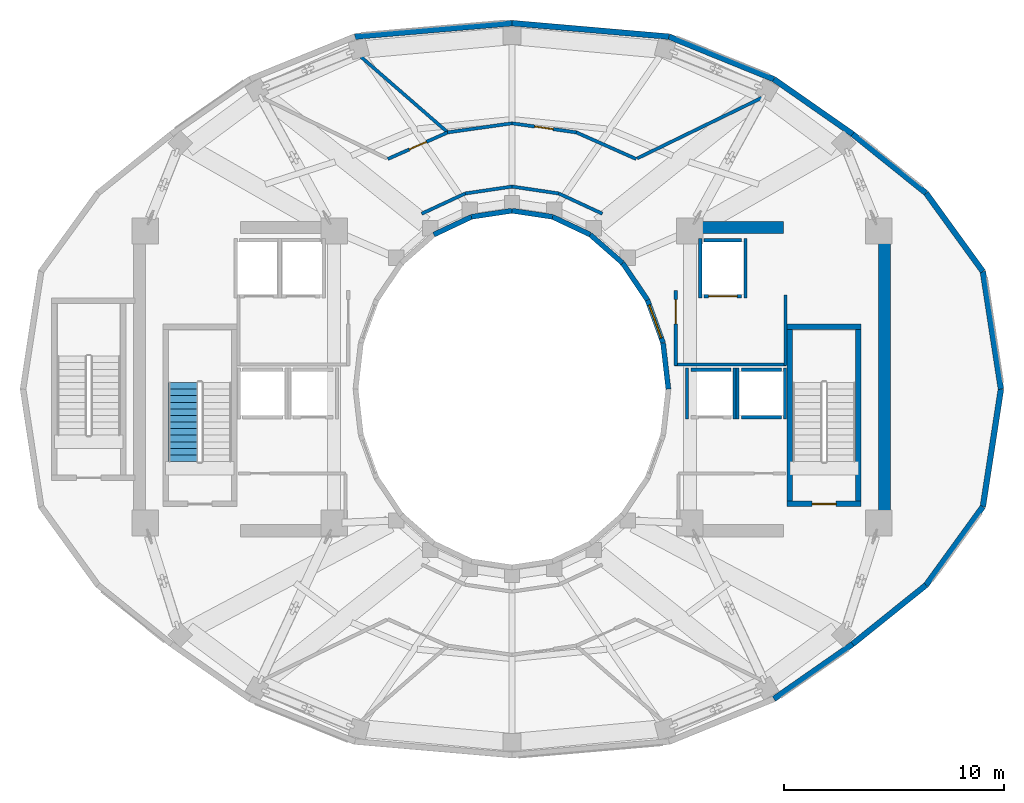
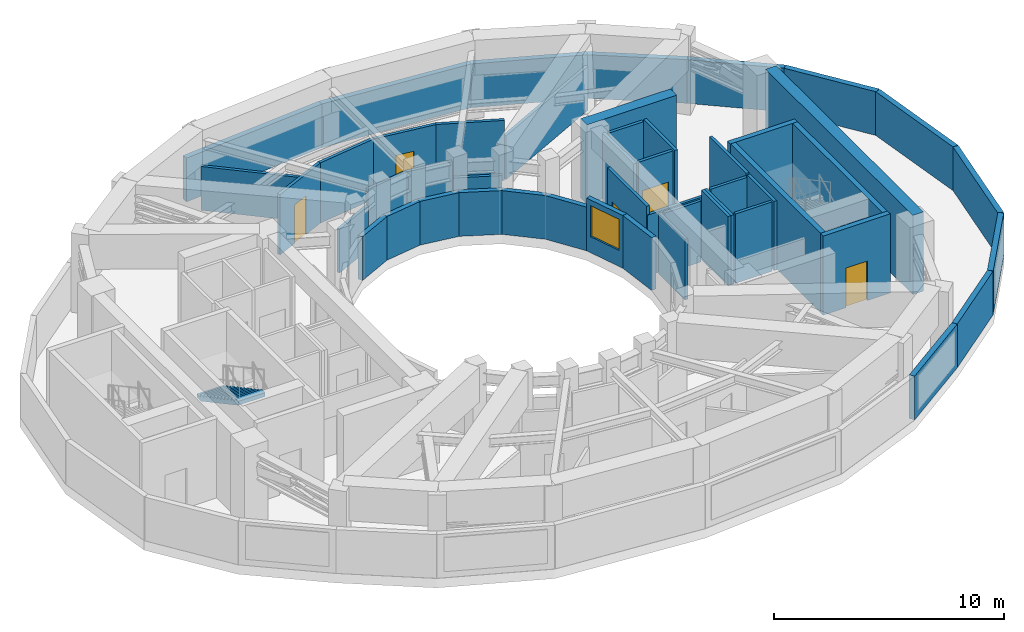
# One storey, part 5 of 10: 49 walls, 5 doors, 1 stair flight, 1 window, 6 openings, 1 element without a shape of its own.
"""IFC4 building model written with IfcOpenShell, lengths in metres."""

from ifc_helpers import new_model, si_unit, direction, frame, frame_2d, origin, place, context, subcontext, project, spatial, polyline, rectangle, outline, extrude, material, layer, layer_set, type_object, element, fill, aggregate, save


model = new_model("IFC4")

# Units and contexts
model_context = context("Model", 3, precision=1e-05, world=origin(), true_north=direction((0.0, 1.0)))
body_context = subcontext(model_context, "Body", "Model", "MODEL_VIEW")
ifc_project = project(units=[si_unit("LENGTHUNIT", "METRE"), si_unit("AREAUNIT", "SQUARE_METRE"), si_unit("VOLUMEUNIT", "CUBIC_METRE"), si_unit("PLANEANGLEUNIT", "RADIAN"), si_unit("MASSUNIT", "GRAM", prefix="KILO")], contexts=[model_context])

# Site, building, storey
site_placement = place(None, origin())
site = spatial("IfcSite", under=ifc_project, at=site_placement, CompositionType="ELEMENT")
building_placement = place(site_placement, origin())
building = spatial("IfcBuilding", under=site, at=building_placement, Name="Solvane Sanctuary Tower", CompositionType="ELEMENT")
storey_placement = place(building_placement, frame((0.0, 0.0, 193.199951171875)))
storey = spatial("IfcBuildingStorey", under=building, at=storey_placement, Name="L59", CompositionType="ELEMENT", Elevation=193.199951171875)

# Walls
ifc_material_1 = material(Name="Concrete C50/60", Category="concrete")
ifc_layer_1 = layer(ifc_material_1, 0.550048828125, Name="Concrete C50/60")
ifc_layer_set_1 = layer_set([ifc_layer_1], Name="Concrete C50/60")
wall_type_1 = type_object("IfcWallType", Name="Wall W-CORE-550", PredefinedType="SHEAR", material=ifc_layer_set_1)
wall_1_placement = place(storey_placement, frame((48.949951171875, 17.050048828125, 0.0), z_axis=(0.0, 0.0, 1.0), x_axis=(0.0, 1.0, 0.0)))
element("IfcWall", 1, at=wall_1_placement, inside=storey, type_object=wall_type_1, Name="L59 Core Shear Wall EC-E", PredefinedType="SHEAR", context=body_context, shape_type="SweptSolid", body=[
    extrude(rectangle(XDim=12.800048828125, YDim=0.550048828125, at=frame_2d((6.39990234375, 0.0))), origin(), (0.0, 0.0, 1.0), 4.199951171875),
])
wall_2_placement = place(storey_placement, frame((39.85009765625, 30.35009765625, 0.0), z_axis=(0.0, 0.0, 1.0), x_axis=(1.0, 0.0, 0.0)))
element("IfcWall", 2, at=wall_2_placement, inside=storey, type_object=wall_type_1, Name="L59 Core Shear Wall EC-N", PredefinedType="SHEAR", context=body_context, shape_type="SweptSolid", body=[
    extrude(rectangle(XDim=4.5, YDim=0.550048828125, at=frame_2d((2.25, 0.0))), origin(), (0.0, 0.0, 1.0), 4.199951171875),
])
ifc_material_2 = material(Name="Acoustic Gypsum Partition Board")
ifc_layer_2 = layer(ifc_material_2, 0.14990234375, Name="Acoustic Gypsum Partition Board")
ifc_layer_set_2 = layer_set([ifc_layer_2], Name="Acoustic Gypsum Partition Board")
wall_type_2 = type_object("IfcWallType", Name="Wall W-CORR-150", PredefinedType="PARTITIONING", material=ifc_layer_set_2)
wall_3_placement = place(storey_placement, frame((39.39990234375, 24.1201171875, 0.0), z_axis=(0.0, 0.0, 1.0), x_axis=(1.0, 0.0, 0.0)))
element("IfcWall", 3, at=wall_3_placement, inside=storey, type_object=wall_type_2, Name="L59 East Firefighting Lobby South Wall", PredefinedType="PARTITIONING", context=body_context, shape_type="SweptSolid", body=[
    extrude(rectangle(XDim=5.080078125, YDim=0.14990234375, at=frame_2d((2.5400390625, 0.0))), origin(), (0.0, 0.0, 1.0), 3.219970703125),
])
wall_4_placement = place(storey_placement, frame((44.449951171875, 24.080078125, 0.0), z_axis=(0.0, 0.0, 1.0), x_axis=(0.0, 1.0, 0.0)))
element("IfcWall", 4, at=wall_4_placement, inside=storey, type_object=wall_type_2, Name="L59 East Firefighting Lobby East Wall", PredefinedType="PARTITIONING", context=body_context, shape_type="SweptSolid", body=[
    extrude(rectangle(XDim=3.199951171875, YDim=0.14990234375, at=frame_2d((1.60009765625, 0.0))), origin(), (0.0, 0.0, 1.0), 3.675048828125),
])

# Wall, opening, door
wall_5_placement = place(storey_placement, frame((39.449951171875, 24.080078125, 0.0), z_axis=(0.0, 0.0, 1.0), x_axis=(0.0, 1.0, 0.0)))
wall_5 = element("IfcWall", 5, at=wall_5_placement, inside=storey, type_object=wall_type_2, Name="L59 East Firefighting Lobby West Wall", PredefinedType="PARTITIONING", context=body_context, shape_type="SweptSolid", body=[
    extrude(rectangle(XDim=3.39990234375, YDim=0.14990234375, at=frame_2d((1.699951171875, 0.0))), origin(), (0.0, 0.0, 1.0), 3.675048828125),
])
opening_1_placement = place(wall_5_placement, frame((1.893798828125, 0.0, 0.0)))
opening_1 = element("IfcOpeningElement", 6, at=opening_1_placement, cuts=wall_5, Name="Opening D-L59-05", PredefinedType="OPENING", context=body_context, shape_type="SweptSolid", body=[
    extrude(rectangle(XDim=1.10009765625, YDim=2.10009765625, at=frame_2d((0.550048828125, 1.050048828125))), frame((0.0, 0.0849609375, 0.0), z_axis=(0.0, -1.0, 0.0), x_axis=(1.0, 0.0, 0.0)), (0.0, 0.0, 1.0), 0.169921875),
])
ifc_material_3 = material(Name="Architectural Stainless Steel 316", Category="steel")
door_type_1 = type_object("IfcDoorType", Name="Door D-FFL", OperationType="NOTDEFINED", PredefinedType="DOOR", material=ifc_material_3)
door_1_placement = place(opening_1_placement, origin())
door_1 = element("IfcDoor", 7, at=door_1_placement, inside=storey, type_object=door_type_1, Name="L59 East Firefighting Lobby Fire Door", OperationType="SINGLE_SWING_LEFT", OverallHeight=2.10009765625, OverallWidth=1.10009765625, PredefinedType="DOOR", context=body_context, shape_type="SweptSolid", body=[
    extrude(rectangle(XDim=1.10009765625, YDim=2.10009765625, at=frame_2d((0.550048828125, 1.050048828125))), frame((0.0, 0.02490234375, 0.0), z_axis=(0.0, -1.0, 0.0), x_axis=(1.0, 0.0, 0.0)), (0.0, 0.0, 1.0), 0.050048828125),
])
fill(opening_1, door_1)

# Walls
wall_6_placement = place(storey_placement, frame((36.110107421875, 30.98486328125, 0.0), z_axis=(0.0, 0.0, 1.0), x_axis=(-0.906943449489, 0.421252393975, 0.0)))
element("IfcWall", 8, at=wall_6_placement, inside=storey, type_object=wall_type_2, Name="L59 Light-Well Corridor Rim Wall N1", PredefinedType="PARTITIONING", context=body_context, shape_type="SweptSolid", body=[
    extrude(rectangle(XDim=2.18603515625, YDim=0.14990234375, at=frame_2d((1.093017578125, 0.0))), origin(), (0.0, 0.0, 1.0), 2.320068359375),
])
for number, where, z_axis, x_axis, name in (
    (9, (34.12744140625, 31.90576171875, 0.0), (0.0, 0.0, 1.0), (-0.989268584896, 0.146108408166, 0.0), "L59 Light-Well Corridor Rim Wall N2"),
    (10, (32.0, 32.219970703125, 0.0), (0.0, 0.0, 1.0), (-0.989268584896, -0.146108408166, 0.0), "L59 Light-Well Corridor Rim Wall N3"),
):
    element("IfcWall", number, at=place(storey_placement, frame(where, z_axis=z_axis, x_axis=x_axis)), inside=storey, type_object=wall_type_2, Name=name, PredefinedType="PARTITIONING", context=body_context, shape_type="SweptSolid", body=[
        extrude(rectangle(XDim=2.150634765625, YDim=0.14990234375, at=frame_2d((1.0751953125, 0.0))), origin(), (0.0, 0.0, 1.0), 3.196044921875),
    ])
wall_7_placement = place(storey_placement, frame((29.87255859375, 31.90576171875, 0.0), z_axis=(0.0, 0.0, 1.0), x_axis=(-0.906943449489, -0.421252393975, 0.0)))
element("IfcWall", 11, at=wall_7_placement, inside=storey, type_object=wall_type_2, Name="L59 Light-Well Corridor Rim Wall N4", PredefinedType="PARTITIONING", context=body_context, shape_type="SweptSolid", body=[
    extrude(rectangle(XDim=2.18603515625, YDim=0.14990234375, at=frame_2d((1.093017578125, 0.0))), origin(), (0.0, 0.0, 1.0), 2.320068359375),
])
wall_8_placement = place(storey_placement, frame((37.699462890625, 33.5029296875, 0.0), z_axis=(0.0, 0.0, 1.0), x_axis=(0.899365131214, 0.437198308273, 0.0)))
element("IfcWall", 12, at=wall_8_placement, inside=storey, type_object=wall_type_2, Name="L59 Mechanical Plant Radial Wall 060", PredefinedType="PARTITIONING", context=body_context, shape_type="SweptSolid", body=[
    extrude(rectangle(XDim=6.365478515625, YDim=0.14990234375, at=frame_2d((3.1826171875, 0.0))), origin(), (0.0, 0.0, 1.0), 2.320068359375),
])
wall_9_placement = place(storey_placement, frame((29.03369140625, 34.723876953125, 0.0), z_axis=(0.0, 0.0, 1.0), x_axis=(-0.754512026555, 0.656286219407, 0.0)))
element("IfcWall", 13, at=wall_9_placement, inside=storey, type_object=wall_type_2, Name="L59 Mechanical Plant Radial Wall 105", PredefinedType="PARTITIONING", context=body_context, shape_type="SweptSolid", body=[
    extrude(rectangle(XDim=5.17236328125, YDim=0.14990234375, at=frame_2d((2.586181640625, 0.0))), origin(), (0.0, 0.0, 1.0), 2.320068359375),
])
wall_10_placement = place(storey_placement, frame((37.65673828125, 33.474609375, 0.0), z_axis=(0.0, 0.0, 1.0), x_axis=(-0.913989848226, 0.405737054432, 0.0)))
element("IfcWall", 14, at=wall_10_placement, inside=storey, type_object=wall_type_2, Name="L59 Plant Corridor Wall 1", PredefinedType="PARTITIONING", context=body_context, shape_type="SweptSolid", body=[
    extrude(rectangle(XDim=2.9912109375, YDim=0.14990234375, at=frame_2d((1.49560546875, 0.0))), origin(), (0.0, 0.0, 1.0), 3.196044921875),
])

# Wall, opening, door
wall_11_placement = place(storey_placement, frame((34.926513671875, 34.687255859375, 0.0), z_axis=(0.0, 0.0, 1.0), x_axis=(-0.990208673156, 0.139595070138, 0.0)))
wall_11 = element("IfcWall", 15, at=wall_11_placement, inside=storey, type_object=wall_type_2, Name="L59 Plant Corridor Wall 1", PredefinedType="PARTITIONING", context=body_context, shape_type="SweptSolid", body=[
    extrude(rectangle(XDim=2.95751953125, YDim=0.14990234375, at=frame_2d((1.478759765625, 0.0))), origin(), (0.0, 0.0, 1.0), 3.196044921875),
])
opening_2_placement = place(wall_11_placement, frame((1.0537109375, 0.0, 0.0)))
opening_2 = element("IfcOpeningElement", 16, at=opening_2_placement, cuts=wall_11, Name="Opening D-L59-08", PredefinedType="OPENING", context=body_context, shape_type="SweptSolid", body=[
    extrude(rectangle(XDim=0.85009765625, YDim=2.050048828125, at=frame_2d((0.425048828125, 1.02490234375))), frame((0.0, 0.0849609375, 0.0), z_axis=(0.0, -1.0, 0.0), x_axis=(1.0, 0.0, 0.0)), (0.0, 0.0, 1.0), 0.169921875),
])
door_type_2 = type_object("IfcDoorType", Name="Door D-RISER", OperationType="NOTDEFINED", PredefinedType="DOOR", material=ifc_material_3)
door_2_placement = place(opening_2_placement, origin())
door_2 = element("IfcDoor", 17, at=door_2_placement, inside=storey, type_object=door_type_2, Name="L59 Plant Room Door 1", OperationType="SINGLE_SWING_RIGHT", OverallHeight=2.050048828125, OverallWidth=0.85009765625, PredefinedType="DOOR", context=body_context, shape_type="SweptSolid", body=[
    extrude(rectangle(XDim=0.85009765625, YDim=2.050048828125, at=frame_2d((0.425048828125, 1.02490234375))), frame((0.0, 0.02490234375, 0.0), z_axis=(0.0, -1.0, 0.0), x_axis=(1.0, 0.0, 0.0)), (0.0, 0.0, 1.0), 0.050048828125),
])
fill(opening_2, door_2)

# Wall
wall_12_placement = place(storey_placement, frame((32.001953125, 35.10009765625, 0.0), z_axis=(0.0, 0.0, 1.0), x_axis=(-0.990167445312, -0.139887205436, 0.0)))
element("IfcWall", 18, at=wall_12_placement, inside=storey, type_object=wall_type_2, Name="L59 Plant Corridor Wall 1", PredefinedType="PARTITIONING", context=body_context, shape_type="SweptSolid", body=[
    extrude(rectangle(XDim=2.96337890625, YDim=0.14990234375, at=frame_2d((1.481689453125, 0.0))), origin(), (0.0, 0.0, 1.0), 3.196044921875),
])

# Wall, opening, door
wall_13_placement = place(storey_placement, frame((29.0830078125, 34.68994140625, 0.0), z_axis=(0.0, 0.0, 1.0), x_axis=(-0.914100192658, -0.405488394141, 0.0)))
wall_13 = element("IfcWall", 19, at=wall_13_placement, inside=storey, type_object=wall_type_2, Name="L59 Plant Corridor Wall 2", PredefinedType="PARTITIONING", context=body_context, shape_type="SweptSolid", body=[
    extrude(rectangle(XDim=2.997314453125, YDim=0.14990234375, at=frame_2d((1.49853515625, 0.0))), origin(), (0.0, 0.0, 1.0), 3.196044921875),
])
opening_3_placement = place(wall_13_placement, frame((1.073486328125, 0.0, 0.0)))
opening_3 = element("IfcOpeningElement", 20, at=opening_3_placement, cuts=wall_13, Name="Opening D-L59-09", PredefinedType="OPENING", context=body_context, shape_type="SweptSolid", body=[
    extrude(rectangle(XDim=0.85009765625, YDim=2.050048828125, at=frame_2d((0.425048828125, 1.02490234375))), frame((0.0, 0.0849609375, 0.0), z_axis=(0.0, -1.0, 0.0), x_axis=(1.0, 0.0, 0.0)), (0.0, 0.0, 1.0), 0.169921875),
])
door_3_placement = place(opening_3_placement, origin())
door_3 = element("IfcDoor", 21, at=door_3_placement, inside=storey, type_object=door_type_2, Name="L59 Plant Room Door 2", OperationType="SINGLE_SWING_LEFT", OverallHeight=2.050048828125, OverallWidth=0.85009765625, PredefinedType="DOOR", context=body_context, shape_type="SweptSolid", body=[
    extrude(rectangle(XDim=0.85009765625, YDim=2.050048828125, at=frame_2d((0.425048828125, 1.02490234375))), frame((0.0, 0.02490234375, 0.0), z_axis=(0.0, -1.0, 0.0), x_axis=(1.0, 0.0, 0.0)), (0.0, 0.0, 1.0), 0.050048828125),
])
fill(opening_3, door_3)

# Walls
ifc_material_4 = material(Name="Precast concrete C40/50", Category="concrete")
ifc_layer_3 = layer(ifc_material_4, 0.260009765625, Name="Precast concrete C40/50")
ifc_layer_set_3 = layer_set([ifc_layer_3], Name="Precast concrete C40/50")
wall_type_3 = type_object("IfcWallType", Name="Wall W-EXT-250", PredefinedType="STANDARD", material=ifc_layer_set_3)
wall_14_placement = place(storey_placement, frame((54.260009765625, 23.0, 0.0), z_axis=(0.0, 0.0, 1.0), x_axis=(-0.151931872057, 0.988390968318, 0.0)))
element("IfcWall", 22, at=wall_14_placement, inside=storey, type_object=wall_type_3, Name="L59 Mechanical Plant Perimeter Wall 00", PredefinedType="STANDARD", context=body_context, shape_type="SweptSolid", body=[
    extrude(rectangle(XDim=5.4169921875, YDim=0.260009765625, at=frame_2d((2.70849609375, 0.0))), origin(), (0.0, 0.0, 1.0), 2.320068359375),
])
wall_15_placement = place(storey_placement, frame((53.43701171875, 28.35400390625, 0.0), z_axis=(0.0, 0.0, 1.0), x_axis=(-0.587019267557, 0.809572961207, 0.0)))
element("IfcWall", 23, at=wall_15_placement, inside=storey, type_object=wall_type_3, Name="L59 Mechanical Plant Perimeter Wall 01", PredefinedType="STANDARD", context=body_context, shape_type="SweptSolid", body=[
    extrude(rectangle(XDim=4.4111328125, YDim=0.260009765625, at=frame_2d((2.20556640625, 0.0))), origin(), (0.0, 0.0, 1.0), 2.320068359375),
])
wall_16_placement = place(storey_placement, frame((50.84765625, 31.925048828125, 0.0), z_axis=(0.0, 0.0, 1.0), x_axis=(-0.779582489695, 0.626299562319, 0.0)))
element("IfcWall", 24, at=wall_16_placement, inside=storey, type_object=wall_type_3, Name="L59 Mechanical Plant Perimeter Wall 02", PredefinedType="STANDARD", context=body_context, shape_type="SweptSolid", body=[
    extrude(rectangle(XDim=4.282958984375, YDim=0.260009765625, at=frame_2d((2.1416015625, 0.0))), origin(), (0.0, 0.0, 1.0), 2.320068359375),
])
wall_17_placement = place(storey_placement, frame((47.5087890625, 34.607421875, 0.0), z_axis=(0.0, 0.0, 1.0), x_axis=(-0.820288529478, 0.571949935228, 0.0)))
element("IfcWall", 25, at=wall_17_placement, inside=storey, type_object=wall_type_3, Name="L59 Mechanical Plant Perimeter Wall 03", PredefinedType="STANDARD", context=body_context, shape_type="SweptSolid", body=[
    extrude(rectangle(XDim=4.368896484375, YDim=0.260009765625, at=frame_2d((2.1845703125, 0.0))), origin(), (0.0, 0.0, 1.0), 2.320068359375),
])
wall_18_placement = place(storey_placement, frame((43.925048828125, 37.106201171875, 0.0), z_axis=(0.0, 0.0, 1.0), x_axis=(-0.926505317676, 0.376281671514, 0.0)))
element("IfcWall", 26, at=wall_18_placement, inside=storey, type_object=wall_type_3, Name="L59 Mechanical Plant Perimeter Wall 04", PredefinedType="STANDARD", context=body_context, shape_type="SweptSolid", body=[
    extrude(rectangle(XDim=5.149658203125, YDim=0.260009765625, at=frame_2d((2.57470703125, 0.0))), origin(), (0.0, 0.0, 1.0), 2.320068359375),
])
for number, where, z_axis, x_axis, name in (
    (27, (39.15380859375, 39.0439453125, 0.0), (0.0, 0.0, 1.0), (-0.996313592678, 0.085785925682, 0.0), "L59 Mechanical Plant Perimeter Wall 05"),
    (28, (32.0, 39.659912109375, 0.0), (0.0, 0.0, 1.0), (-0.996313592678, -0.085785925682, 0.0), "L59 Mechanical Plant Perimeter Wall 06"),
):
    element("IfcWall", number, at=place(storey_placement, frame(where, z_axis=z_axis, x_axis=x_axis)), inside=storey, type_object=wall_type_3, Name=name, PredefinedType="STANDARD", context=body_context, shape_type="SweptSolid", body=[
        extrude(rectangle(XDim=7.18017578125, YDim=0.260009765625, at=frame_2d((3.590087890625, 0.0))), origin(), (0.0, 0.0, 1.0), 2.320068359375),
    ])
wall_19_placement = place(storey_placement, frame((43.925048828125, 8.893798828125, 0.0), z_axis=(0.0, 0.0, 1.0), x_axis=(0.820288529478, 0.571949935228, 0.0)))
element("IfcWall", 29, at=wall_19_placement, inside=storey, type_object=wall_type_3, Name="L59 Mechanical Plant Perimeter Wall 20", PredefinedType="STANDARD", context=body_context, shape_type="SweptSolid", body=[
    extrude(rectangle(XDim=4.368896484375, YDim=0.260009765625, at=frame_2d((2.1845703125, 0.0))), origin(), (0.0, 0.0, 1.0), 2.320068359375),
])
wall_20_placement = place(storey_placement, frame((47.5087890625, 11.392578125, 0.0), z_axis=(0.0, 0.0, 1.0), x_axis=(0.779582489695, 0.626299562319, 0.0)))
element("IfcWall", 30, at=wall_20_placement, inside=storey, type_object=wall_type_3, Name="L59 Mechanical Plant Perimeter Wall 21", PredefinedType="STANDARD", context=body_context, shape_type="SweptSolid", body=[
    extrude(rectangle(XDim=4.282958984375, YDim=0.260009765625, at=frame_2d((2.1416015625, 0.0))), origin(), (0.0, 0.0, 1.0), 2.320068359375),
])
wall_21_placement = place(storey_placement, frame((50.84765625, 14.074951171875, 0.0), z_axis=(0.0, 0.0, 1.0), x_axis=(0.587019267557, 0.809572961207, 0.0)))
element("IfcWall", 31, at=wall_21_placement, inside=storey, type_object=wall_type_3, Name="L59 Mechanical Plant Perimeter Wall 22", PredefinedType="STANDARD", context=body_context, shape_type="SweptSolid", body=[
    extrude(rectangle(XDim=4.4111328125, YDim=0.260009765625, at=frame_2d((2.20556640625, 0.0))), origin(), (0.0, 0.0, 1.0), 2.320068359375),
])
wall_22_placement = place(storey_placement, frame((53.43701171875, 17.64599609375, 0.0), z_axis=(0.0, 0.0, 1.0), x_axis=(0.151931872057, 0.988390968318, 0.0)))
element("IfcWall", 32, at=wall_22_placement, inside=storey, type_object=wall_type_3, Name="L59 Mechanical Plant Perimeter Wall 23", PredefinedType="STANDARD", context=body_context, shape_type="SweptSolid", body=[
    extrude(rectangle(XDim=5.4169921875, YDim=0.260009765625, at=frame_2d((2.70849609375, 0.0))), origin(), (0.0, 0.0, 1.0), 2.320068359375),
])
ifc_layer_4 = layer(ifc_material_4, 0.22998046875, Name="Precast concrete C40/50")
ifc_layer_set_4 = layer_set([ifc_layer_4], Name="Precast concrete C40/50")
wall_type_4 = type_object("IfcWallType", Name="Wall W-EXT-SP220", PredefinedType="STANDARD", material=ifc_layer_set_4)
wall_23_placement = place(storey_placement, frame((39.1201171875, 23.0, 0.0), z_axis=(0.0, 0.0, 1.0), x_axis=(-0.114711713601, 0.993398823617, 0.0)))
element("IfcWall", 33, at=wall_23_placement, inside=storey, type_object=wall_type_4, Name="L59 Central Light-Well Wall 00", PredefinedType="STANDARD", context=body_context, shape_type="SweptSolid", body=[
    extrude(rectangle(XDim=2.115478515625, YDim=0.22998046875, at=frame_2d((1.0576171875, 0.0))), origin(), (0.0, 0.0, 1.0), 2.800048828125),
])

# Wall, opening, window
wall_24_placement = place(storey_placement, frame((38.87744140625, 25.1015625, 0.0), z_axis=(0.0, 0.0, 1.0), x_axis=(-0.341423187295, 0.93990968033, 0.0)))
wall_24 = element("IfcWall", 34, at=wall_24_placement, inside=storey, type_object=wall_type_4, Name="L59 Central Light-Well Wall 01", PredefinedType="STANDARD", context=body_context, shape_type="SweptSolid", body=[
    extrude(rectangle(XDim=2.083740234375, YDim=0.22998046875, at=frame_2d((1.0419921875, 0.0))), origin(), (0.0, 0.0, 1.0), 2.800048828125),
])
opening_4_placement = place(wall_24_placement, frame((0.24169921875, 0.0, 0.85009765625)))
opening_4 = element("IfcOpeningElement", 35, at=opening_4_placement, cuts=wall_24, Name="Opening WN-WELL-1600", PredefinedType="OPENING", context=body_context, shape_type="SweptSolid", body=[
    extrude(rectangle(XDim=1.60009765625, YDim=1.64990234375, at=frame_2d((0.800048828125, 0.824951171875))), frame((0.0, 0.125, 0.0), z_axis=(0.0, -1.0, 0.0), x_axis=(1.0, 0.0, 0.0)), (0.0, 0.0, 1.0), 0.25),
])
ifc_material_5 = material(Name="Clear Laminated Light-Well Glass", Category="glass")
window_type = type_object("IfcWindowType", Name="Window WN-WELL-1600", PartitioningType="SINGLE_PANEL", PredefinedType="WINDOW", material=ifc_material_5)
window_placement = place(opening_4_placement, origin())
window = element("IfcWindow", 36, at=window_placement, inside=storey, type_object=window_type, Name="L59 Light-Well Daylight Window 01", OverallHeight=1.64990234375, OverallWidth=1.60009765625, PartitioningType="SINGLE_PANEL", PredefinedType="WINDOW", context=body_context, shape_type="SweptSolid", body=[
    extrude(rectangle(XDim=1.60009765625, YDim=1.64990234375, at=frame_2d((0.800048828125, 0.824951171875))), frame((0.0, 0.030029296875, 0.0), z_axis=(0.0, -1.0, 0.0), x_axis=(1.0, 0.0, 0.0)), (0.0, 0.0, 1.0), 0.06005859375),
])
fill(opening_4, window)

# Walls
wall_25_placement = place(storey_placement, frame((38.166015625, 27.06005859375, 0.0), z_axis=(0.0, 0.0, 1.0), x_axis=(-0.558197800898, 0.829707909492, 0.0)))
element("IfcWall", 37, at=wall_25_placement, inside=storey, type_object=wall_type_4, Name="L59 Central Light-Well Wall 02", PredefinedType="STANDARD", context=body_context, shape_type="SweptSolid", body=[
    extrude(rectangle(XDim=2.02685546875, YDim=0.22998046875, at=frame_2d((1.013427734375, 0.0))), origin(), (0.0, 0.0, 1.0), 2.320068359375),
])
wall_26_placement = place(storey_placement, frame((37.03466796875, 28.74169921875, 0.0), z_axis=(0.0, 0.0, 1.0), x_axis=(-0.752576694707, 0.658504607869, 0.0)))
element("IfcWall", 38, at=wall_26_placement, inside=storey, type_object=wall_type_4, Name="L59 Central Light-Well Wall 03", PredefinedType="STANDARD", context=body_context, shape_type="SweptSolid", body=[
    extrude(rectangle(XDim=1.95947265625, YDim=0.22998046875, at=frame_2d((0.979736328125, 0.0))), origin(), (0.0, 0.0, 1.0), 2.320068359375),
])
wall_27_placement = place(storey_placement, frame((35.56005859375, 30.031982421875, 0.0), z_axis=(0.0, 0.0, 1.0), x_axis=(-0.904179699603, 0.427152280606, 0.0)))
element("IfcWall", 39, at=wall_27_placement, inside=storey, type_object=wall_type_4, Name="L59 Central Light-Well Wall 04", PredefinedType="STANDARD", context=body_context, shape_type="SweptSolid", body=[
    extrude(rectangle(XDim=1.899169921875, YDim=0.22998046875, at=frame_2d((0.94970703125, 0.0))), origin(), (0.0, 0.0, 1.0), 2.320068359375),
])
for number, where, z_axis, x_axis, name in (
    (40, (33.8427734375, 30.84326171875, 0.0), (0.0, 0.0, 1.0), (-0.988901730308, 0.148571086668, 0.0), "L59 Central Light-Well Wall 05"),
    (41, (32.0, 31.1201171875, 0.0), (0.0, 0.0, 1.0), (-0.988901730308, -0.148571086668, 0.0), "L59 Central Light-Well Wall 06"),
):
    element("IfcWall", number, at=place(storey_placement, frame(where, z_axis=z_axis, x_axis=x_axis)), inside=storey, type_object=wall_type_4, Name=name, PredefinedType="STANDARD", context=body_context, shape_type="SweptSolid", body=[
        extrude(rectangle(XDim=1.863525390625, YDim=0.22998046875, at=frame_2d((0.931640625, 0.0))), origin(), (0.0, 0.0, 1.0), 2.320068359375),
    ])
wall_28_placement = place(storey_placement, frame((30.1572265625, 30.84326171875, 0.0), z_axis=(0.0, 0.0, 1.0), x_axis=(-0.904179699603, -0.427152280606, 0.0)))
element("IfcWall", 42, at=wall_28_placement, inside=storey, type_object=wall_type_4, Name="L59 Central Light-Well Wall 07", PredefinedType="STANDARD", context=body_context, shape_type="SweptSolid", body=[
    extrude(rectangle(XDim=1.899169921875, YDim=0.22998046875, at=frame_2d((0.94970703125, 0.0))), origin(), (0.0, 0.0, 1.0), 2.320068359375),
])
ifc_layer_5 = layer(ifc_material_1, 0.14990234375, Name="Concrete C50/60")
ifc_layer_set_5 = layer_set([ifc_layer_5], Name="Concrete C50/60")
wall_type_5 = type_object("IfcWallType", Name="Wall W-SHAFT-150", PredefinedType="SOLIDWALL", material=ifc_layer_set_5)
for number, where, z_axis, x_axis, name in (
    (43, (42.43994140625, 21.719970703125, 0.0), (0.0, 0.0, 1.0), (1.0, 0.0, 0.0), "L59 PM-2 Lift Shaft Wall F"),
    (44, (42.43994140625, 23.8798828125, 0.0), (0.0, 0.0, 1.0), (1.0, 0.0, 0.0), "L59 PM-2 Lift Shaft Wall B"),
):
    element("IfcWall", number, at=place(storey_placement, frame(where, z_axis=z_axis, x_axis=x_axis)), inside=storey, type_object=wall_type_5, Name=name, PredefinedType="SOLIDWALL", context=body_context, shape_type="SweptSolid", body=[
        extrude(rectangle(XDim=1.820068359375, YDim=0.14990234375, at=frame_2d((0.91015625, 0.0))), origin(), (0.0, 0.0, 1.0), 3.675048828125),
    ])
for number, where, z_axis, x_axis, name in (
    (45, (42.27001953125, 21.639892578125, 0.0), (0.0, 0.0, 1.0), (0.0, 1.0, 0.0), "L59 PM-2 Lift Shaft Wall S1"),
    (46, (44.429931640625, 21.639892578125, 0.0), (0.0, 0.0, 1.0), (0.0, 1.0, 0.0), "L59 PM-2 Lift Shaft Wall S2"),
):
    element("IfcWall", number, at=place(storey_placement, frame(where, z_axis=z_axis, x_axis=x_axis)), inside=storey, type_object=wall_type_5, Name=name, PredefinedType="SOLIDWALL", context=body_context, shape_type="SweptSolid", body=[
        extrude(rectangle(XDim=2.320068359375, YDim=0.14990234375, at=frame_2d((1.16015625, 0.0))), origin(), (0.0, 0.0, 1.0), 3.675048828125),
    ])
wall_29_placement = place(storey_placement, frame((40.139892578125, 23.8798828125, 0.0), z_axis=(0.0, 0.0, 1.0), x_axis=(1.0, 0.0, 0.0)))
element("IfcWall", 47, at=wall_29_placement, inside=storey, type_object=wall_type_5, Name="L59 PH-2 Lift Shaft Wall B", PredefinedType="SOLIDWALL", context=body_context, shape_type="SweptSolid", body=[
    extrude(rectangle(XDim=1.820068359375, YDim=0.14990234375, at=frame_2d((0.91015625, 0.0))), origin(), (0.0, 0.0, 1.0), 3.219970703125),
])
wall_30_placement = place(storey_placement, frame((39.969970703125, 21.639892578125, 0.0), z_axis=(0.0, 0.0, 1.0), x_axis=(0.0, 1.0, 0.0)))
element("IfcWall", 48, at=wall_30_placement, inside=storey, type_object=wall_type_5, Name="L59 PH-2 Lift Shaft Wall S1", PredefinedType="SOLIDWALL", context=body_context, shape_type="SweptSolid", body=[
    extrude(rectangle(XDim=2.320068359375, YDim=0.14990234375, at=frame_2d((1.16015625, 0.0))), origin(), (0.0, 0.0, 1.0), 3.219970703125),
])
wall_31_placement = place(storey_placement, frame((42.1298828125, 21.639892578125, 0.0), z_axis=(0.0, 0.0, 1.0), x_axis=(0.0, 1.0, 0.0)))
element("IfcWall", 49, at=wall_31_placement, inside=storey, type_object=wall_type_5, Name="L59 PH-2 Lift Shaft Wall S2", PredefinedType="SOLIDWALL", context=body_context, shape_type="SweptSolid", body=[
    extrude(rectangle(XDim=2.320068359375, YDim=0.14990234375, at=frame_2d((1.16015625, 0.0))), origin(), (0.0, 0.0, 1.0), 3.675048828125),
])

# Wall, opening, door
wall_32_placement = place(storey_placement, frame((40.739990234375, 27.219970703125, 0.0), z_axis=(0.0, 0.0, 1.0), x_axis=(1.0, 0.0, 0.0)))
wall_32 = element("IfcWall", 50, at=wall_32_placement, inside=storey, type_object=wall_type_5, Name="L59 FFL-2 Lift Shaft Wall F", PredefinedType="SOLIDWALL", context=body_context, shape_type="SweptSolid", body=[
    extrude(rectangle(XDim=1.719970703125, YDim=0.14990234375, at=frame_2d((0.85986328125, 0.0))), origin(), (0.0, 0.0, 1.0), 3.675048828125),
])
opening_5_placement = place(wall_32_placement, frame((0.2099609375, 0.0, 0.0)))
opening_5 = element("IfcOpeningElement", 51, at=opening_5_placement, cuts=wall_32, Name="Opening LD-L59-05", PredefinedType="OPENING", context=body_context, shape_type="SweptSolid", body=[
    extrude(rectangle(XDim=1.300048828125, YDim=2.10009765625, at=frame_2d((0.64990234375, 1.050048828125))), frame((0.0, 0.0849609375, 0.0), z_axis=(0.0, -1.0, 0.0), x_axis=(1.0, 0.0, 0.0)), (0.0, 0.0, 1.0), 0.169921875),
])
door_type_3 = type_object("IfcDoorType", Name="Door LD-FFL-1300", OperationType="NOTDEFINED", PredefinedType="DOOR", material=ifc_material_3)
door_4_placement = place(opening_5_placement, origin())
door_4 = element("IfcDoor", 52, at=door_4_placement, inside=storey, type_object=door_type_3, Name="L59 FFL-2 Lift Landing Door", OperationType="DOUBLE_DOOR_SLIDING", OverallHeight=2.10009765625, OverallWidth=1.300048828125, PredefinedType="DOOR", context=body_context, shape_type="SweptSolid", body=[
    extrude(rectangle(XDim=1.300048828125, YDim=2.10009765625, at=frame_2d((0.64990234375, 1.050048828125))), frame((0.0, 0.02490234375, 0.0), z_axis=(0.0, -1.0, 0.0), x_axis=(1.0, 0.0, 0.0)), (0.0, 0.0, 1.0), 0.050048828125),
])
fill(opening_5, door_4)

# Walls
wall_33_placement = place(storey_placement, frame((40.739990234375, 29.780029296875, 0.0), z_axis=(0.0, 0.0, 1.0), x_axis=(1.0, 0.0, 0.0)))
element("IfcWall", 53, at=wall_33_placement, inside=storey, type_object=wall_type_5, Name="L59 FFL-2 Lift Shaft Wall B", PredefinedType="SOLIDWALL", context=body_context, shape_type="SweptSolid", body=[
    extrude(rectangle(XDim=1.719970703125, YDim=0.14990234375, at=frame_2d((0.85986328125, 0.0))), origin(), (0.0, 0.0, 1.0), 3.675048828125),
])
for number, where, z_axis, x_axis, name in (
    (54, (40.570068359375, 27.139892578125, 0.0), (0.0, 0.0, 1.0), (0.0, 1.0, 0.0), "L59 FFL-2 Lift Shaft Wall S1"),
    (55, (42.6298828125, 27.139892578125, 0.0), (0.0, 0.0, 1.0), (0.0, 1.0, 0.0), "L59 FFL-2 Lift Shaft Wall S2"),
):
    element("IfcWall", number, at=place(storey_placement, frame(where, z_axis=z_axis, x_axis=x_axis)), inside=storey, type_object=wall_type_5, Name=name, PredefinedType="SOLIDWALL", context=body_context, shape_type="SweptSolid", body=[
        extrude(rectangle(XDim=2.72021484375, YDim=0.14990234375, at=frame_2d((1.360107421875, 0.0))), origin(), (0.0, 0.0, 1.0), 3.675048828125),
    ])

# Wall, opening, door
ifc_layer_6 = layer(ifc_material_1, 0.25, Name="Concrete C50/60")
ifc_layer_set_6 = layer_set([ifc_layer_6], Name="Concrete C50/60")
wall_type_6 = type_object("IfcWallType", Name="Wall W-SHAFT-250", PredefinedType="SOLIDWALL", material=ifc_layer_set_6)
wall_34_placement = place(storey_placement, frame((44.52490234375, 17.77001953125, 0.0), z_axis=(0.0, 0.0, 1.0), x_axis=(1.0, 0.0, 0.0)))
wall_34 = element("IfcWall", 56, at=wall_34_placement, inside=storey, type_object=wall_type_6, Name="L59 ST-2 Load-Bearing Shaft Wall S", PredefinedType="SOLIDWALL", context=body_context, shape_type="SweptSolid", body=[
    extrude(rectangle(XDim=3.3701171875, YDim=0.25, at=frame_2d((1.68505859375, 0.0))), origin(), (0.0, 0.0, 1.0), 4.199951171875),
])
opening_6_placement = place(wall_34_placement, frame((1.135009765625, 0.0, 0.0)))
opening_6 = element("IfcOpeningElement", 57, at=opening_6_placement, cuts=wall_34, Name="Opening D-L59-02", PredefinedType="OPENING", context=body_context, shape_type="SweptSolid", body=[
    extrude(rectangle(XDim=1.10009765625, YDim=2.10009765625, at=frame_2d((0.550048828125, 1.050048828125))), frame((0.0, 0.135009765625, 0.0), z_axis=(0.0, -1.0, 0.0), x_axis=(1.0, 0.0, 0.0)), (0.0, 0.0, 1.0), 0.27001953125),
])
door_type_4 = type_object("IfcDoorType", Name="Door D-STAIR", OperationType="NOTDEFINED", PredefinedType="DOOR", material=ifc_material_3)
door_5_placement = place(opening_6_placement, origin())
door_5 = element("IfcDoor", 58, at=door_5_placement, inside=storey, type_object=door_type_4, Name="L59 ST-2 Exit Stair Fire Door", OperationType="SINGLE_SWING_RIGHT", OverallHeight=2.10009765625, OverallWidth=1.10009765625, PredefinedType="DOOR", context=body_context, shape_type="SweptSolid", body=[
    extrude(rectangle(XDim=1.10009765625, YDim=2.10009765625, at=frame_2d((0.550048828125, 1.050048828125))), frame((0.0, 0.02490234375, 0.0), z_axis=(0.0, -1.0, 0.0), x_axis=(1.0, 0.0, 0.0)), (0.0, 0.0, 1.0), 0.050048828125),
])
fill(opening_6, door_5)

# Walls
wall_35_placement = place(storey_placement, frame((44.52490234375, 25.830078125, 0.0), z_axis=(0.0, 0.0, 1.0), x_axis=(1.0, 0.0, 0.0)))
element("IfcWall", 59, at=wall_35_placement, inside=storey, type_object=wall_type_6, Name="L59 ST-2 Load-Bearing Shaft Wall N", PredefinedType="SOLIDWALL", context=body_context, shape_type="SweptSolid", body=[
    extrude(rectangle(XDim=3.3701171875, YDim=0.25, at=frame_2d((1.68505859375, 0.0))), origin(), (0.0, 0.0, 1.0), 4.199951171875),
])
for number, where, z_axis, x_axis, name in (
    (60, (44.64990234375, 17.89501953125, 0.0), (0.0, 0.0, 1.0), (0.0, 1.0, 0.0), "L59 ST-2 Load-Bearing Shaft Wall W"),
    (61, (47.77001953125, 17.89501953125, 0.0), (0.0, 0.0, 1.0), (0.0, 1.0, 0.0), "L59 ST-2 Load-Bearing Shaft Wall E"),
):
    element("IfcWall", number, at=place(storey_placement, frame(where, z_axis=z_axis, x_axis=x_axis)), inside=storey, type_object=wall_type_6, Name=name, PredefinedType="SOLIDWALL", context=body_context, shape_type="SweptSolid", body=[
        extrude(rectangle(XDim=7.81005859375, YDim=0.25, at=frame_2d((3.905029296875, 0.0))), origin(), (0.0, 0.0, 1.0), 4.199951171875),
    ])

# Stair, stair flight
ifc_material_6 = material(Name="Concrete C45/55", Category="concrete")
stair_type = type_object("IfcStairType", Name="Stair ST-TOW", PredefinedType="HALF_TURN_STAIR", material=ifc_material_6)
stair_placement = place(storey_placement, origin())
stair = element("IfcStair", 62, at=stair_placement, inside=storey, type_object=stair_type, Name="L59 Exit Stair ST-1 West Core", PredefinedType="HALF_TURN_STAIR")
stair_flight_type = type_object("IfcStairFlightType", Name="StairFlight SF-TOW", PredefinedType="STRAIGHT", material=ifc_material_6)
stair_flight_placement = place(storey_placement, frame((17.034912109375, 23.300048828125, 2.10009765625), z_axis=(0.0, 0.0, 1.0), x_axis=(0.0, -1.0, 0.0)))
stair_flight = element("IfcStairFlight", 63, at=stair_flight_placement, type_object=stair_flight_type, Name="ST-1 flight 2", NumberOfRisers=13, NumberOfTreads=12, PredefinedType="STRAIGHT", RiserHeight=0.161538462, TreadLength=0.3, context=body_context, shape_type="SweptSolid", body=[
    extrude(outline(polyline([(0.0, 0.0), (0.0, 0.16162109375), (0.300048828125, 0.16162109375), (0.300048828125, 0.322998046875), (0.60009765625, 0.322998046875), (0.60009765625, 0.484619140625), (0.89990234375, 0.484619140625), (0.89990234375, 0.646240234375), (1.199951171875, 0.646240234375), (1.199951171875, 0.8076171875), (1.5, 0.8076171875), (1.5, 0.96923828125), (1.800048828125, 0.96923828125), (1.800048828125, 1.130859375), (2.10009765625, 1.130859375), (2.10009765625, 1.292236328125), (2.39990234375, 1.292236328125), (2.39990234375, 1.453857421875), (2.699951171875, 1.453857421875), (2.699951171875, 1.615478515625), (3.0, 1.615478515625), (3.0, 1.77685546875), (3.300048828125, 1.77685546875), (3.300048828125, 1.9384765625), (3.60009765625, 1.9384765625), (3.60009765625, 2.10009765625), (3.60009765625, 1.734130859375), (0.379638671875, 0.0), (0.0, 0.0)])), frame((0.0, 0.675048828125, 0.0), z_axis=(0.0, -1.0, 0.0), x_axis=(1.0, 0.0, 0.0)), (0.0, 0.0, 1.0), 1.35009765625),
])
aggregate(stair, [stair_flight])

save(model, "model.ifc")
